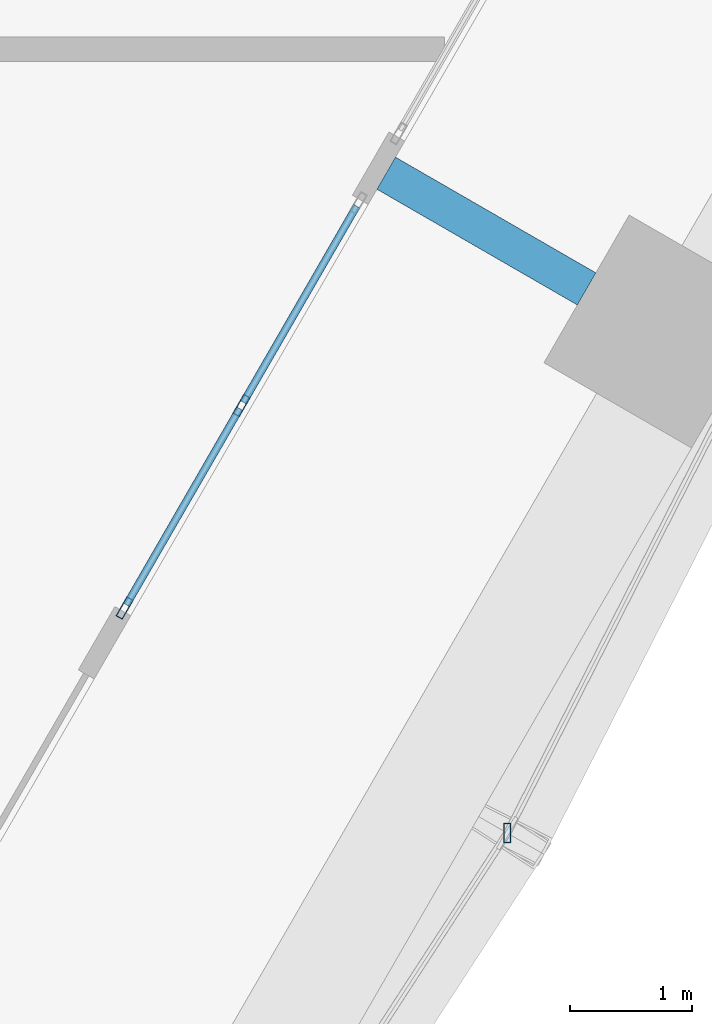
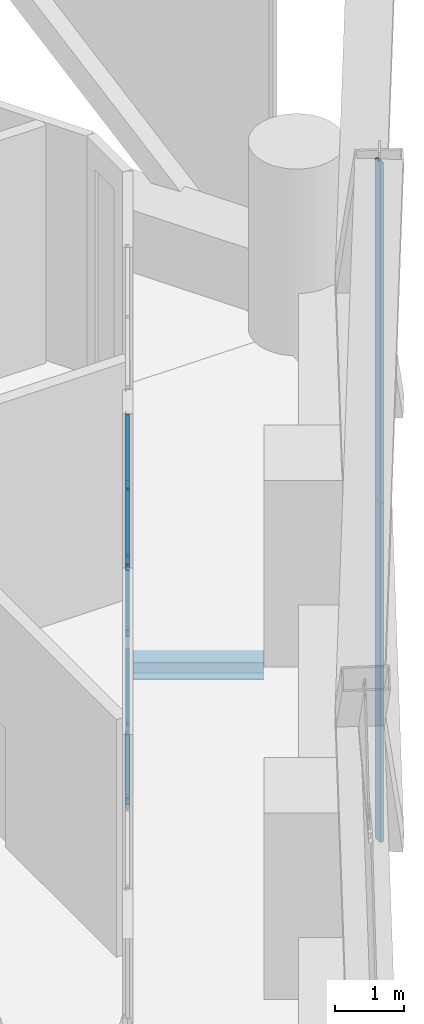
# One storey, part 19 of 46: 10 members, 1 beam, 2 elements without a shape of their own.
"""IFC4 building model written with IfcOpenShell, lengths in metres."""

from ifc_helpers import new_model, si_unit, direction, frame, origin, origin_2d, place, context, subcontext, project, spatial, hollow_rectangle, i_section, extrude, material, material_profile, profile_set, type_object, element, aggregate, save


model = new_model("IFC4")

# Units and contexts
model_context = context("Model", 3, precision=1e-05, world=origin(), true_north=direction((0.0, 1.0)))
body_context = subcontext(model_context, "Body", "Model", "MODEL_VIEW")
ifc_project = project(units=[si_unit("LENGTHUNIT", "METRE"), si_unit("AREAUNIT", "SQUARE_METRE"), si_unit("VOLUMEUNIT", "CUBIC_METRE"), si_unit("PLANEANGLEUNIT", "RADIAN"), si_unit("MASSUNIT", "GRAM", prefix="KILO")], contexts=[model_context])

# Site, building, storey
site_placement = place(None, origin())
site = spatial("IfcSite", under=ifc_project, at=site_placement, CompositionType="ELEMENT")
building_placement = place(site_placement, origin())
building = spatial("IfcBuilding", under=site, at=building_placement, Name="Ostrander Bayou Hotel Tower", CompositionType="ELEMENT")
storey_placement = place(building_placement, frame((0.0, 0.0, 23.5)))
storey = spatial("IfcBuildingStorey", under=building, at=storey_placement, Name="L05", CompositionType="ELEMENT", Elevation=23.5)

# Curtain wall, members
ifc_material_1 = material(Name="Aluminium and clear glass", Category="aluminium")
curtain_wall_type_1 = type_object("IfcCurtainWallType", Name="CW-LAT lattice glazing", PredefinedType="NOTDEFINED", material=ifc_material_1)
curtain_wall_1_placement = place(storey_placement, origin())
curtain_wall_1 = element("IfcCurtainWall", 1, at=curtain_wall_1_placement, inside=storey, type_object=curtain_wall_type_1, Name="CW-LAT L05 SE 1", PredefinedType="NOTDEFINED")
ifc_material_2 = material(Name="Aluminium", Category="aluminium")
ifc_material_profile_1 = material_profile(ifc_material_2, hollow_rectangle(XDim=0.06005859375, YDim=0.159912109375, WallThickness=0.00390625, at=origin_2d()))
ifc_profile_set_1 = profile_set([ifc_material_profile_1], Name="Aluminium")
member_type_1 = type_object("IfcMemberType", Name="CW-LA mullion 60 x 160 mm", PredefinedType="MULLION", material=ifc_profile_set_1)
member_1_placement = place(storey_placement, frame((19.11328125, -11.034912109375, -0.60009765625), z_axis=(0.0, 0.0, 1.0), x_axis=(1.0, 0.0, 0.0)))
member_1 = element("IfcMember", 2, at=member_1_placement, type_object=member_type_1, Name="CW-LAT mullion 4", PredefinedType="MULLION", context=body_context, shape_type="SweptSolid", body=[
    extrude(hollow_rectangle(XDim=0.06005859375, YDim=0.159912109375, WallThickness=0.00390625, at=origin_2d()), origin(), (0.0, 0.0, 1.0), 6.0),
])
member_2_placement = place(storey_placement, frame((19.11328125, -11.034912109375, 5.39990234375), z_axis=(0.0, 0.0, 1.0), x_axis=(1.0, 0.0, 0.0)))
member_2 = element("IfcMember", 3, at=member_2_placement, type_object=member_type_1, Name="CW-LAT mullion 5", PredefinedType="MULLION", context=body_context, shape_type="SweptSolid", body=[
    extrude(hollow_rectangle(XDim=0.06005859375, YDim=0.159912109375, WallThickness=0.00390625, at=origin_2d()), origin(), (0.0, 0.0, 1.0), 6.0),
])
aggregate(curtain_wall_1, [member_1, member_2])

ifc_material_3 = material(Name="Aluminium and clear glass", Category="aluminium")
curtain_wall_type_2 = type_object("IfcCurtainWallType", Name="CW-SKY amenity glass wall", PredefinedType="NOTDEFINED", material=ifc_material_3)
curtain_wall_2_placement = place(storey_placement, origin())
curtain_wall_2 = element("IfcCurtainWall", 4, at=curtain_wall_2_placement, inside=storey, type_object=curtain_wall_type_2, Name="CW-SKY L05 SE 3", PredefinedType="NOTDEFINED")
ifc_material_4 = material(Name="Aluminium", Category="aluminium")
ifc_material_profile_2 = material_profile(ifc_material_4, hollow_rectangle(XDim=0.06005859375, YDim=0.179931640625, WallThickness=0.00390625, at=origin_2d()))
ifc_profile_set_2 = profile_set([ifc_material_profile_2], Name="Aluminium")
member_type_2 = type_object("IfcMemberType", Name="CW-SK mullion 60 x 180 mm", PredefinedType="MULLION", material=ifc_profile_set_2)
member_3_placement = place(storey_placement, frame((15.971435546875, -9.1865234375, 0.0), z_axis=(0.0, 0.0, 1.0), x_axis=(-0.866025463091, 0.499999897278, 0.0)))
member_3 = element("IfcMember", 5, at=member_3_placement, type_object=member_type_2, Name="CW-SKY mullion 1", PredefinedType="MULLION", context=body_context, shape_type="SweptSolid", body=[
    extrude(hollow_rectangle(XDim=0.06005859375, YDim=0.179931640625, WallThickness=0.00390625, at=origin_2d()), origin(), (0.0, 0.0, 1.0), 4.199951171875),
])
member_4_placement = place(storey_placement, frame((16.931396484375, -7.523681640625, 0.0), z_axis=(0.0, 0.0, 1.0), x_axis=(-0.866025463091, 0.499999897278, 0.0)))
member_4 = element("IfcMember", 6, at=member_4_placement, type_object=member_type_2, Name="CW-SKY mullion 2", PredefinedType="MULLION", context=body_context, shape_type="SweptSolid", body=[
    extrude(hollow_rectangle(XDim=0.06005859375, YDim=0.179931640625, WallThickness=0.00390625, at=origin_2d()), origin(), (0.0, 0.0, 1.0), 4.199951171875),
])
ifc_material_5 = material(Name="Aluminium", Category="aluminium")
ifc_material_profile_3 = material_profile(ifc_material_5, hollow_rectangle(XDim=0.06005859375, YDim=0.1201171875, WallThickness=0.00390625, at=origin_2d()))
ifc_profile_set_3 = profile_set([ifc_material_profile_3], Name="Aluminium")
member_type_3 = type_object("IfcMemberType", Name="CW-SK transom 60 x 120 mm", PredefinedType="USERDEFINED", material=ifc_profile_set_3)
member_5_placement = place(storey_placement, frame((15.986572265625, -9.16064453125, 0.030029296875), z_axis=(0.499964847546, 0.866045698112, 0.0), x_axis=(-0.866045698112, 0.499964847546, 0.0)))
member_5 = element("IfcMember", 7, at=member_5_placement, type_object=member_type_3, Name="CW-SKY transom 1.1", ObjectType="TRANSOM", PredefinedType="USERDEFINED", context=body_context, shape_type="SweptSolid", body=[
    extrude(hollow_rectangle(XDim=0.06005859375, YDim=0.1201171875, WallThickness=0.00390625, at=origin_2d()), origin(), (0.0, 0.0, 1.0), 1.860107421875),
])
member_6_placement = place(storey_placement, frame((15.986572265625, -9.16064453125, 3.0), z_axis=(0.499964847546, 0.866045698112, 0.0), x_axis=(-0.866045698112, 0.499964847546, 0.0)))
member_6 = element("IfcMember", 8, at=member_6_placement, type_object=member_type_3, Name="CW-SKY transom 1.2", ObjectType="TRANSOM", PredefinedType="USERDEFINED", context=body_context, shape_type="SweptSolid", body=[
    extrude(hollow_rectangle(XDim=0.06005859375, YDim=0.1201171875, WallThickness=0.00390625, at=origin_2d()), origin(), (0.0, 0.0, 1.0), 1.860107421875),
])
member_7_placement = place(storey_placement, frame((15.986572265625, -9.16064453125, 4.169921875), z_axis=(0.499964847546, 0.866045698112, 0.0), x_axis=(-0.866045698112, 0.499964847546, 0.0)))
member_7 = element("IfcMember", 9, at=member_7_placement, type_object=member_type_3, Name="CW-SKY transom 1.3", ObjectType="TRANSOM", PredefinedType="USERDEFINED", context=body_context, shape_type="SweptSolid", body=[
    extrude(hollow_rectangle(XDim=0.06005859375, YDim=0.1201171875, WallThickness=0.00390625, at=origin_2d()), origin(), (0.0, 0.0, 1.0), 1.860107421875),
])
member_8_placement = place(storey_placement, frame((16.946533203125, -7.497802734375, 0.030029296875), z_axis=(0.499964847546, 0.866045698112, 0.0), x_axis=(-0.866045698112, 0.499964847546, 0.0)))
member_8 = element("IfcMember", 10, at=member_8_placement, type_object=member_type_3, Name="CW-SKY transom 2.1", ObjectType="TRANSOM", PredefinedType="USERDEFINED", context=body_context, shape_type="SweptSolid", body=[
    extrude(hollow_rectangle(XDim=0.06005859375, YDim=0.1201171875, WallThickness=0.00390625, at=origin_2d()), origin(), (0.0, 0.0, 1.0), 1.860107421875),
])
member_9_placement = place(storey_placement, frame((16.946533203125, -7.497802734375, 3.0), z_axis=(0.499964847546, 0.866045698112, 0.0), x_axis=(-0.866045698112, 0.499964847546, 0.0)))
member_9 = element("IfcMember", 11, at=member_9_placement, type_object=member_type_3, Name="CW-SKY transom 2.2", ObjectType="TRANSOM", PredefinedType="USERDEFINED", context=body_context, shape_type="SweptSolid", body=[
    extrude(hollow_rectangle(XDim=0.06005859375, YDim=0.1201171875, WallThickness=0.00390625, at=origin_2d()), origin(), (0.0, 0.0, 1.0), 1.860107421875),
])
member_10_placement = place(storey_placement, frame((16.946533203125, -7.497802734375, 4.169921875), z_axis=(0.499964847546, 0.866045698112, 0.0), x_axis=(-0.866045698112, 0.499964847546, 0.0)))
member_10 = element("IfcMember", 12, at=member_10_placement, type_object=member_type_3, Name="CW-SKY transom 2.3", ObjectType="TRANSOM", PredefinedType="USERDEFINED", context=body_context, shape_type="SweptSolid", body=[
    extrude(hollow_rectangle(XDim=0.06005859375, YDim=0.1201171875, WallThickness=0.00390625, at=origin_2d()), origin(), (0.0, 0.0, 1.0), 1.860107421875),
])
aggregate(curtain_wall_2, [member_3, member_4, member_5, member_6, member_7, member_8, member_9, member_10])

# Beam
ifc_material_6 = material(Name="Steel ASTM A992", Category="steel")
ifc_material_profile_4 = material_profile(ifc_material_6, i_section(OverallWidth=0.3046875, OverallDepth=0.307861328125, WebThickness=0.010009765625, FlangeThickness=0.015380859375, at=origin_2d()))
ifc_profile_set_4 = profile_set([ifc_material_profile_4], Name="Steel ASTM A992")
beam_type = type_object("IfcBeamType", Name="LB1 loggia bracket W12x65", PredefinedType="BEAM", material=ifc_profile_set_4)
beam_placement = place(storey_placement, frame((19.7646484375, -6.566650390625, -0.453857421875), z_axis=(-0.866044365799, 0.499967155389, 0.0), x_axis=(-0.499967155389, -0.866044365799, 0.0)))
element("IfcBeam", 13, at=beam_placement, inside=storey, type_object=beam_type, Name="LB1 L05 SE2", PredefinedType="BEAM", context=body_context, shape_type="SweptSolid", body=[
    extrude(i_section(OverallWidth=0.3046875, OverallDepth=0.307861328125, WebThickness=0.010009765625, FlangeThickness=0.015380859375, at=origin_2d()), origin(), (0.0, 0.0, 1.0), 1.900146484375),
])

save(model, "model.ifc")
